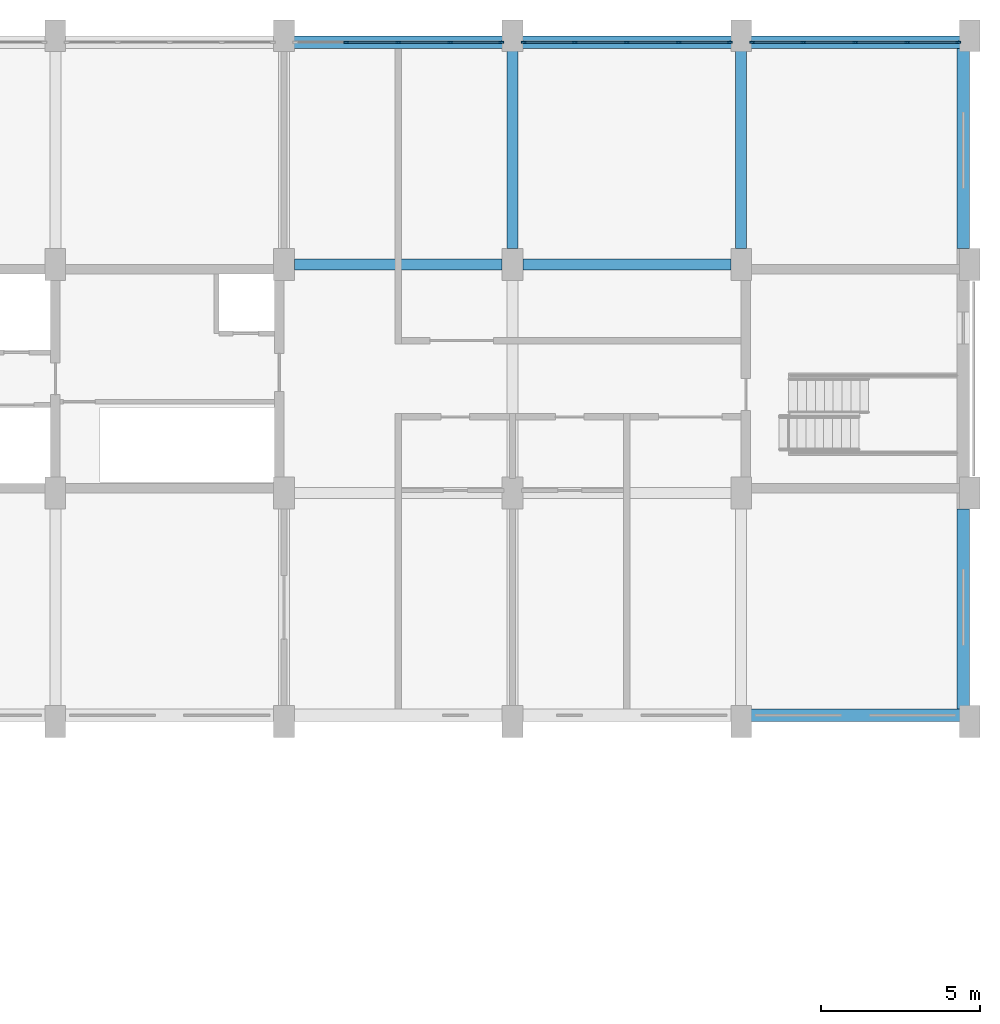
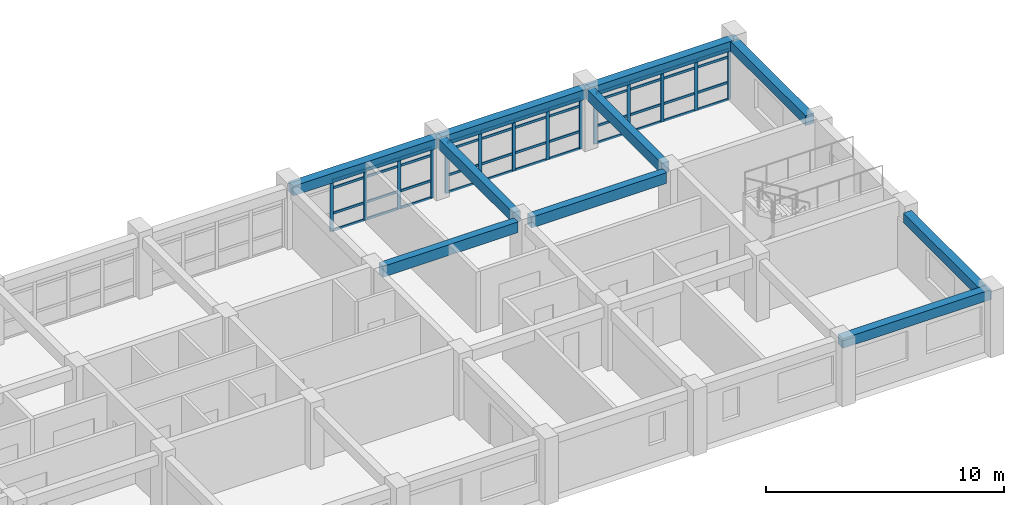
# One storey, part 8 of 19: 58 members, 10 beams, 3 elements without a shape of their own.
"""IFC4 building model written with IfcOpenShell, lengths in metres."""

from ifc_helpers import new_model, si_unit, direction, frame, origin, origin_2d, place, context, subcontext, project, spatial, rectangle, extrude, material, material_profile, profile_set, type_object, element, aggregate, save


model = new_model("IFC4")

# Units and contexts
model_context = context("Model", 3, precision=1e-05, world=origin(), true_north=direction((0.0, 1.0)))
body_context = subcontext(model_context, "Body", "Model", "MODEL_VIEW")
ifc_project = project(units=[si_unit("LENGTHUNIT", "METRE"), si_unit("AREAUNIT", "SQUARE_METRE"), si_unit("VOLUMEUNIT", "CUBIC_METRE"), si_unit("PLANEANGLEUNIT", "RADIAN"), si_unit("MASSUNIT", "GRAM", prefix="KILO")], contexts=[model_context])

# Site, building, storey
site_placement = place(None, origin())
site = spatial("IfcSite", under=ifc_project, at=site_placement, CompositionType="ELEMENT")
building_placement = place(site_placement, origin())
building = spatial("IfcBuilding", under=site, at=building_placement, Name="Vermilion Court Aquatics Centre", CompositionType="ELEMENT")
storey_placement = place(building_placement, frame((0.0, 0.0, 19.89990234375)))
storey = spatial("IfcBuildingStorey", under=building, at=storey_placement, Name="L04", CompositionType="ELEMENT", Elevation=19.89990234375)

# Curtain wall, members
ifc_material_1 = material(Name="Aluminium 6063-T5", Category="aluminium")
curtain_wall_type = type_object("IfcCurtainWallType", Name="North block glazed bay curtain wall 1800 module", PredefinedType="NOTDEFINED", material=ifc_material_1)
curtain_wall_1_placement = place(storey_placement, origin())
curtain_wall_1 = element("IfcCurtainWall", 1, at=curtain_wall_1_placement, inside=storey, type_object=curtain_wall_type, Name="North glazed bay 5 L04", PredefinedType="NOTDEFINED")
ifc_material_2 = material(Name="Aluminium 6063-T5", Category="aluminium")
ifc_material_profile_1 = material_profile(ifc_material_2, rectangle(XDim=0.06005859375, YDim=0.159912109375, at=origin_2d()), Name="AL 60x160")
ifc_profile_set_1 = profile_set([ifc_material_profile_1], Name="Aluminium 6063-T5")
member_type_1 = type_object("IfcMemberType", Name="North block curtain wall mullion 60x160", PredefinedType="MULLION", material=ifc_profile_set_1)
member_1_placement = place(storey_placement, frame((174.762451171875, 115.0, 0.0), z_axis=(0.0, 0.0, 1.0), x_axis=(0.0, 1.0, 0.0)))
member_1 = element("IfcMember", 2, at=member_1_placement, type_object=member_type_1, Name="UCW1 mullion 2", PredefinedType="MULLION", context=body_context, shape_type="SweptSolid", body=[
    extrude(rectangle(XDim=0.06005859375, YDim=0.159912109375, at=origin_2d()), origin(), (0.0, 0.0, 1.0), 2.60009765625),
])
member_2_placement = place(storey_placement, frame((176.39990234375, 115.0, 0.0), z_axis=(0.0, 0.0, 1.0), x_axis=(0.0, 1.0, 0.0)))
member_2 = element("IfcMember", 3, at=member_2_placement, type_object=member_type_1, Name="UCW1 mullion 3", PredefinedType="MULLION", context=body_context, shape_type="SweptSolid", body=[
    extrude(rectangle(XDim=0.06005859375, YDim=0.159912109375, at=origin_2d()), origin(), (0.0, 0.0, 1.0), 2.60009765625),
])
member_3_placement = place(storey_placement, frame((178.03759765625, 115.0, 0.0), z_axis=(0.0, 0.0, 1.0), x_axis=(0.0, 1.0, 0.0)))
member_3 = element("IfcMember", 4, at=member_3_placement, type_object=member_type_1, Name="UCW1 mullion 4", PredefinedType="MULLION", context=body_context, shape_type="SweptSolid", body=[
    extrude(rectangle(XDim=0.06005859375, YDim=0.159912109375, at=origin_2d()), origin(), (0.0, 0.0, 1.0), 2.60009765625),
])
member_4_placement = place(storey_placement, frame((179.64501953125, 115.0, 0.0), z_axis=(0.0, 0.0, 1.0), x_axis=(0.0, 1.0, 0.0)))
member_4 = element("IfcMember", 5, at=member_4_placement, type_object=member_type_1, Name="UCW1 mullion 5", PredefinedType="MULLION", context=body_context, shape_type="SweptSolid", body=[
    extrude(rectangle(XDim=0.06005859375, YDim=0.159912109375, at=origin_2d()), origin(), (0.0, 0.0, 1.0), 2.60009765625),
])

curtain_wall_2_placement = place(storey_placement, origin())
curtain_wall_2 = element("IfcCurtainWall", 6, at=curtain_wall_2_placement, inside=storey, type_object=curtain_wall_type, Name="North glazed bay 6 L04", PredefinedType="NOTDEFINED")
member_5_placement = place(storey_placement, frame((180.35498046875, 115.0, 0.0), z_axis=(0.0, 0.0, 1.0), x_axis=(0.0, 1.0, 0.0)))
member_5 = element("IfcMember", 7, at=member_5_placement, type_object=member_type_1, Name="UCW1 mullion 1", PredefinedType="MULLION", context=body_context, shape_type="SweptSolid", body=[
    extrude(rectangle(XDim=0.06005859375, YDim=0.159912109375, at=origin_2d()), origin(), (0.0, 0.0, 1.0), 2.60009765625),
])
member_6_placement = place(storey_placement, frame((181.96240234375, 115.0, 0.0), z_axis=(0.0, 0.0, 1.0), x_axis=(0.0, 1.0, 0.0)))
member_6 = element("IfcMember", 8, at=member_6_placement, type_object=member_type_1, Name="UCW1 mullion 2", PredefinedType="MULLION", context=body_context, shape_type="SweptSolid", body=[
    extrude(rectangle(XDim=0.06005859375, YDim=0.159912109375, at=origin_2d()), origin(), (0.0, 0.0, 1.0), 2.60009765625),
])
member_7_placement = place(storey_placement, frame((183.60009765625, 115.0, 0.0), z_axis=(0.0, 0.0, 1.0), x_axis=(0.0, 1.0, 0.0)))
member_7 = element("IfcMember", 9, at=member_7_placement, type_object=member_type_1, Name="UCW1 mullion 3", PredefinedType="MULLION", context=body_context, shape_type="SweptSolid", body=[
    extrude(rectangle(XDim=0.06005859375, YDim=0.159912109375, at=origin_2d()), origin(), (0.0, 0.0, 1.0), 2.60009765625),
])
member_8_placement = place(storey_placement, frame((185.237548828125, 115.0, 0.0), z_axis=(0.0, 0.0, 1.0), x_axis=(0.0, 1.0, 0.0)))
member_8 = element("IfcMember", 10, at=member_8_placement, type_object=member_type_1, Name="UCW1 mullion 4", PredefinedType="MULLION", context=body_context, shape_type="SweptSolid", body=[
    extrude(rectangle(XDim=0.06005859375, YDim=0.159912109375, at=origin_2d()), origin(), (0.0, 0.0, 1.0), 2.60009765625),
])
member_9_placement = place(storey_placement, frame((186.844970703125, 115.0, 0.0), z_axis=(0.0, 0.0, 1.0), x_axis=(0.0, 1.0, 0.0)))
member_9 = element("IfcMember", 11, at=member_9_placement, type_object=member_type_1, Name="UCW1 mullion 5", PredefinedType="MULLION", context=body_context, shape_type="SweptSolid", body=[
    extrude(rectangle(XDim=0.06005859375, YDim=0.159912109375, at=origin_2d()), origin(), (0.0, 0.0, 1.0), 2.60009765625),
])

curtain_wall_3_placement = place(storey_placement, origin())
curtain_wall_3 = element("IfcCurtainWall", 12, at=curtain_wall_3_placement, inside=storey, type_object=curtain_wall_type, Name="North glazed bay 7 L04", PredefinedType="NOTDEFINED")
member_10_placement = place(storey_placement, frame((187.554931640625, 115.0, 0.0), z_axis=(0.0, 0.0, 1.0), x_axis=(0.0, 1.0, 0.0)))
member_10 = element("IfcMember", 13, at=member_10_placement, type_object=member_type_1, Name="UCW1 mullion 1", PredefinedType="MULLION", context=body_context, shape_type="SweptSolid", body=[
    extrude(rectangle(XDim=0.06005859375, YDim=0.159912109375, at=origin_2d()), origin(), (0.0, 0.0, 1.0), 2.60009765625),
])
member_11_placement = place(storey_placement, frame((189.16259765625, 115.0, 0.0), z_axis=(0.0, 0.0, 1.0), x_axis=(0.0, 1.0, 0.0)))
member_11 = element("IfcMember", 14, at=member_11_placement, type_object=member_type_1, Name="UCW1 mullion 2", PredefinedType="MULLION", context=body_context, shape_type="SweptSolid", body=[
    extrude(rectangle(XDim=0.06005859375, YDim=0.159912109375, at=origin_2d()), origin(), (0.0, 0.0, 1.0), 2.60009765625),
])
member_12_placement = place(storey_placement, frame((190.800048828125, 115.0, 0.0), z_axis=(0.0, 0.0, 1.0), x_axis=(0.0, 1.0, 0.0)))
member_12 = element("IfcMember", 15, at=member_12_placement, type_object=member_type_1, Name="UCW1 mullion 3", PredefinedType="MULLION", context=body_context, shape_type="SweptSolid", body=[
    extrude(rectangle(XDim=0.06005859375, YDim=0.159912109375, at=origin_2d()), origin(), (0.0, 0.0, 1.0), 2.60009765625),
])
member_13_placement = place(storey_placement, frame((192.4375, 115.0, 0.0), z_axis=(0.0, 0.0, 1.0), x_axis=(0.0, 1.0, 0.0)))
member_13 = element("IfcMember", 16, at=member_13_placement, type_object=member_type_1, Name="UCW1 mullion 4", PredefinedType="MULLION", context=body_context, shape_type="SweptSolid", body=[
    extrude(rectangle(XDim=0.06005859375, YDim=0.159912109375, at=origin_2d()), origin(), (0.0, 0.0, 1.0), 2.60009765625),
])
member_14_placement = place(storey_placement, frame((194.044921875, 115.0, 0.0), z_axis=(0.0, 0.0, 1.0), x_axis=(0.0, 1.0, 0.0)))
member_14 = element("IfcMember", 17, at=member_14_placement, type_object=member_type_1, Name="UCW1 mullion 5", PredefinedType="MULLION", context=body_context, shape_type="SweptSolid", body=[
    extrude(rectangle(XDim=0.06005859375, YDim=0.159912109375, at=origin_2d()), origin(), (0.0, 0.0, 1.0), 2.60009765625),
])

# Member
ifc_material_3 = material(Name="Aluminium 6063-T5", Category="aluminium")
ifc_material_profile_2 = material_profile(ifc_material_3, rectangle(XDim=0.06005859375, YDim=0.1201171875, at=origin_2d()), Name="AL 60x120")
ifc_profile_set_2 = profile_set([ifc_material_profile_2], Name="Aluminium 6063-T5")
member_type_2 = type_object("IfcMemberType", Name="North block curtain wall transom 60x120", PredefinedType="USERDEFINED", material=ifc_profile_set_2)
member_15_placement = place(storey_placement, frame((174.79248046875, 115.0, 0.030029296875), z_axis=(1.0, 0.0, 0.0), x_axis=(0.0, 1.0, 0.0)))
member_15 = element("IfcMember", 18, at=member_15_placement, type_object=member_type_2, Name="UCW1 transom 2.1", ObjectType="TRANSOM", PredefinedType="USERDEFINED", context=body_context, shape_type="SweptSolid", body=[
    extrude(rectangle(XDim=0.06005859375, YDim=0.1201171875, at=origin_2d()), origin(), (0.0, 0.0, 1.0), 1.57763671875),
])

member_16_placement = place(storey_placement, frame((174.79248046875, 115.0, 0.900146484375), z_axis=(1.0, 0.0, 0.0), x_axis=(0.0, 1.0, 0.0)))
member_16 = element("IfcMember", 19, at=member_16_placement, type_object=member_type_2, Name="UCW1 transom 2.2", ObjectType="TRANSOM", PredefinedType="USERDEFINED", context=body_context, shape_type="SweptSolid", body=[
    extrude(rectangle(XDim=0.06005859375, YDim=0.1201171875, at=origin_2d()), origin(), (0.0, 0.0, 1.0), 1.57763671875),
])

member_17_placement = place(storey_placement, frame((174.79248046875, 115.0, 2.2001953125), z_axis=(1.0, 0.0, 0.0), x_axis=(0.0, 1.0, 0.0)))
member_17 = element("IfcMember", 20, at=member_17_placement, type_object=member_type_2, Name="UCW1 transom 2.3", ObjectType="TRANSOM", PredefinedType="USERDEFINED", context=body_context, shape_type="SweptSolid", body=[
    extrude(rectangle(XDim=0.06005859375, YDim=0.1201171875, at=origin_2d()), origin(), (0.0, 0.0, 1.0), 1.57763671875),
])

member_18_placement = place(storey_placement, frame((174.79248046875, 115.0, 2.570068359375), z_axis=(1.0, 0.0, 0.0), x_axis=(0.0, 1.0, 0.0)))
member_18 = element("IfcMember", 21, at=member_18_placement, type_object=member_type_2, Name="UCW1 transom 2.4", ObjectType="TRANSOM", PredefinedType="USERDEFINED", context=body_context, shape_type="SweptSolid", body=[
    extrude(rectangle(XDim=0.06005859375, YDim=0.1201171875, at=origin_2d()), origin(), (0.0, 0.0, 1.0), 1.57763671875),
])

member_19_placement = place(storey_placement, frame((176.429931640625, 115.0, 0.030029296875), z_axis=(1.0, 0.0, 0.0), x_axis=(0.0, 1.0, 0.0)))
member_19 = element("IfcMember", 22, at=member_19_placement, type_object=member_type_2, Name="UCW1 transom 3.1", ObjectType="TRANSOM", PredefinedType="USERDEFINED", context=body_context, shape_type="SweptSolid", body=[
    extrude(rectangle(XDim=0.06005859375, YDim=0.1201171875, at=origin_2d()), origin(), (0.0, 0.0, 1.0), 1.57763671875),
])

member_20_placement = place(storey_placement, frame((176.429931640625, 115.0, 0.900146484375), z_axis=(1.0, 0.0, 0.0), x_axis=(0.0, 1.0, 0.0)))
member_20 = element("IfcMember", 23, at=member_20_placement, type_object=member_type_2, Name="UCW1 transom 3.2", ObjectType="TRANSOM", PredefinedType="USERDEFINED", context=body_context, shape_type="SweptSolid", body=[
    extrude(rectangle(XDim=0.06005859375, YDim=0.1201171875, at=origin_2d()), origin(), (0.0, 0.0, 1.0), 1.57763671875),
])

member_21_placement = place(storey_placement, frame((176.429931640625, 115.0, 2.2001953125), z_axis=(1.0, 0.0, 0.0), x_axis=(0.0, 1.0, 0.0)))
member_21 = element("IfcMember", 24, at=member_21_placement, type_object=member_type_2, Name="UCW1 transom 3.3", ObjectType="TRANSOM", PredefinedType="USERDEFINED", context=body_context, shape_type="SweptSolid", body=[
    extrude(rectangle(XDim=0.06005859375, YDim=0.1201171875, at=origin_2d()), origin(), (0.0, 0.0, 1.0), 1.57763671875),
])

member_22_placement = place(storey_placement, frame((176.429931640625, 115.0, 2.570068359375), z_axis=(1.0, 0.0, 0.0), x_axis=(0.0, 1.0, 0.0)))
member_22 = element("IfcMember", 25, at=member_22_placement, type_object=member_type_2, Name="UCW1 transom 3.4", ObjectType="TRANSOM", PredefinedType="USERDEFINED", context=body_context, shape_type="SweptSolid", body=[
    extrude(rectangle(XDim=0.06005859375, YDim=0.1201171875, at=origin_2d()), origin(), (0.0, 0.0, 1.0), 1.57763671875),
])

member_23_placement = place(storey_placement, frame((178.0673828125, 115.0, 0.030029296875), z_axis=(1.0, 0.0, 0.0), x_axis=(0.0, 1.0, 0.0)))
member_23 = element("IfcMember", 26, at=member_23_placement, type_object=member_type_2, Name="UCW1 transom 4.1", ObjectType="TRANSOM", PredefinedType="USERDEFINED", context=body_context, shape_type="SweptSolid", body=[
    extrude(rectangle(XDim=0.06005859375, YDim=0.1201171875, at=origin_2d()), origin(), (0.0, 0.0, 1.0), 1.547607421875),
])

member_24_placement = place(storey_placement, frame((178.0673828125, 115.0, 0.900146484375), z_axis=(1.0, 0.0, 0.0), x_axis=(0.0, 1.0, 0.0)))
member_24 = element("IfcMember", 27, at=member_24_placement, type_object=member_type_2, Name="UCW1 transom 4.2", ObjectType="TRANSOM", PredefinedType="USERDEFINED", context=body_context, shape_type="SweptSolid", body=[
    extrude(rectangle(XDim=0.06005859375, YDim=0.1201171875, at=origin_2d()), origin(), (0.0, 0.0, 1.0), 1.547607421875),
])

member_25_placement = place(storey_placement, frame((178.0673828125, 115.0, 2.2001953125), z_axis=(1.0, 0.0, 0.0), x_axis=(0.0, 1.0, 0.0)))
member_25 = element("IfcMember", 28, at=member_25_placement, type_object=member_type_2, Name="UCW1 transom 4.3", ObjectType="TRANSOM", PredefinedType="USERDEFINED", context=body_context, shape_type="SweptSolid", body=[
    extrude(rectangle(XDim=0.06005859375, YDim=0.1201171875, at=origin_2d()), origin(), (0.0, 0.0, 1.0), 1.547607421875),
])

member_26_placement = place(storey_placement, frame((178.0673828125, 115.0, 2.570068359375), z_axis=(1.0, 0.0, 0.0), x_axis=(0.0, 1.0, 0.0)))
member_26 = element("IfcMember", 29, at=member_26_placement, type_object=member_type_2, Name="UCW1 transom 4.4", ObjectType="TRANSOM", PredefinedType="USERDEFINED", context=body_context, shape_type="SweptSolid", body=[
    extrude(rectangle(XDim=0.06005859375, YDim=0.1201171875, at=origin_2d()), origin(), (0.0, 0.0, 1.0), 1.547607421875),
])

aggregate(curtain_wall_1, [member_1, member_2, member_3, member_4, member_15, member_16, member_17, member_18, member_19, member_20, member_21, member_22, member_23, member_24, member_25, member_26])

member_27_placement = place(storey_placement, frame((180.385009765625, 115.0, 0.030029296875), z_axis=(1.0, 0.0, 0.0), x_axis=(0.0, 1.0, 0.0)))
member_27 = element("IfcMember", 30, at=member_27_placement, type_object=member_type_2, Name="UCW1 transom 1.1", ObjectType="TRANSOM", PredefinedType="USERDEFINED", context=body_context, shape_type="SweptSolid", body=[
    extrude(rectangle(XDim=0.06005859375, YDim=0.1201171875, at=origin_2d()), origin(), (0.0, 0.0, 1.0), 1.547607421875),
])

member_28_placement = place(storey_placement, frame((180.385009765625, 115.0, 0.900146484375), z_axis=(1.0, 0.0, 0.0), x_axis=(0.0, 1.0, 0.0)))
member_28 = element("IfcMember", 31, at=member_28_placement, type_object=member_type_2, Name="UCW1 transom 1.2", ObjectType="TRANSOM", PredefinedType="USERDEFINED", context=body_context, shape_type="SweptSolid", body=[
    extrude(rectangle(XDim=0.06005859375, YDim=0.1201171875, at=origin_2d()), origin(), (0.0, 0.0, 1.0), 1.547607421875),
])

member_29_placement = place(storey_placement, frame((180.385009765625, 115.0, 2.2001953125), z_axis=(1.0, 0.0, 0.0), x_axis=(0.0, 1.0, 0.0)))
member_29 = element("IfcMember", 32, at=member_29_placement, type_object=member_type_2, Name="UCW1 transom 1.3", ObjectType="TRANSOM", PredefinedType="USERDEFINED", context=body_context, shape_type="SweptSolid", body=[
    extrude(rectangle(XDim=0.06005859375, YDim=0.1201171875, at=origin_2d()), origin(), (0.0, 0.0, 1.0), 1.547607421875),
])

member_30_placement = place(storey_placement, frame((180.385009765625, 115.0, 2.570068359375), z_axis=(1.0, 0.0, 0.0), x_axis=(0.0, 1.0, 0.0)))
member_30 = element("IfcMember", 33, at=member_30_placement, type_object=member_type_2, Name="UCW1 transom 1.4", ObjectType="TRANSOM", PredefinedType="USERDEFINED", context=body_context, shape_type="SweptSolid", body=[
    extrude(rectangle(XDim=0.06005859375, YDim=0.1201171875, at=origin_2d()), origin(), (0.0, 0.0, 1.0), 1.547607421875),
])

member_31_placement = place(storey_placement, frame((181.992431640625, 115.0, 0.030029296875), z_axis=(1.0, 0.0, 0.0), x_axis=(0.0, 1.0, 0.0)))
member_31 = element("IfcMember", 34, at=member_31_placement, type_object=member_type_2, Name="UCW1 transom 2.1", ObjectType="TRANSOM", PredefinedType="USERDEFINED", context=body_context, shape_type="SweptSolid", body=[
    extrude(rectangle(XDim=0.06005859375, YDim=0.1201171875, at=origin_2d()), origin(), (0.0, 0.0, 1.0), 1.57763671875),
])

member_32_placement = place(storey_placement, frame((181.992431640625, 115.0, 0.900146484375), z_axis=(1.0, 0.0, 0.0), x_axis=(0.0, 1.0, 0.0)))
member_32 = element("IfcMember", 35, at=member_32_placement, type_object=member_type_2, Name="UCW1 transom 2.2", ObjectType="TRANSOM", PredefinedType="USERDEFINED", context=body_context, shape_type="SweptSolid", body=[
    extrude(rectangle(XDim=0.06005859375, YDim=0.1201171875, at=origin_2d()), origin(), (0.0, 0.0, 1.0), 1.57763671875),
])

member_33_placement = place(storey_placement, frame((181.992431640625, 115.0, 2.2001953125), z_axis=(1.0, 0.0, 0.0), x_axis=(0.0, 1.0, 0.0)))
member_33 = element("IfcMember", 36, at=member_33_placement, type_object=member_type_2, Name="UCW1 transom 2.3", ObjectType="TRANSOM", PredefinedType="USERDEFINED", context=body_context, shape_type="SweptSolid", body=[
    extrude(rectangle(XDim=0.06005859375, YDim=0.1201171875, at=origin_2d()), origin(), (0.0, 0.0, 1.0), 1.57763671875),
])

member_34_placement = place(storey_placement, frame((181.992431640625, 115.0, 2.570068359375), z_axis=(1.0, 0.0, 0.0), x_axis=(0.0, 1.0, 0.0)))
member_34 = element("IfcMember", 37, at=member_34_placement, type_object=member_type_2, Name="UCW1 transom 2.4", ObjectType="TRANSOM", PredefinedType="USERDEFINED", context=body_context, shape_type="SweptSolid", body=[
    extrude(rectangle(XDim=0.06005859375, YDim=0.1201171875, at=origin_2d()), origin(), (0.0, 0.0, 1.0), 1.57763671875),
])

member_35_placement = place(storey_placement, frame((183.6298828125, 115.0, 0.030029296875), z_axis=(1.0, 0.0, 0.0), x_axis=(0.0, 1.0, 0.0)))
member_35 = element("IfcMember", 38, at=member_35_placement, type_object=member_type_2, Name="UCW1 transom 3.1", ObjectType="TRANSOM", PredefinedType="USERDEFINED", context=body_context, shape_type="SweptSolid", body=[
    extrude(rectangle(XDim=0.06005859375, YDim=0.1201171875, at=origin_2d()), origin(), (0.0, 0.0, 1.0), 1.57763671875),
])

member_36_placement = place(storey_placement, frame((183.6298828125, 115.0, 0.900146484375), z_axis=(1.0, 0.0, 0.0), x_axis=(0.0, 1.0, 0.0)))
member_36 = element("IfcMember", 39, at=member_36_placement, type_object=member_type_2, Name="UCW1 transom 3.2", ObjectType="TRANSOM", PredefinedType="USERDEFINED", context=body_context, shape_type="SweptSolid", body=[
    extrude(rectangle(XDim=0.06005859375, YDim=0.1201171875, at=origin_2d()), origin(), (0.0, 0.0, 1.0), 1.57763671875),
])

member_37_placement = place(storey_placement, frame((183.6298828125, 115.0, 2.2001953125), z_axis=(1.0, 0.0, 0.0), x_axis=(0.0, 1.0, 0.0)))
member_37 = element("IfcMember", 40, at=member_37_placement, type_object=member_type_2, Name="UCW1 transom 3.3", ObjectType="TRANSOM", PredefinedType="USERDEFINED", context=body_context, shape_type="SweptSolid", body=[
    extrude(rectangle(XDim=0.06005859375, YDim=0.1201171875, at=origin_2d()), origin(), (0.0, 0.0, 1.0), 1.57763671875),
])

member_38_placement = place(storey_placement, frame((183.6298828125, 115.0, 2.570068359375), z_axis=(1.0, 0.0, 0.0), x_axis=(0.0, 1.0, 0.0)))
member_38 = element("IfcMember", 41, at=member_38_placement, type_object=member_type_2, Name="UCW1 transom 3.4", ObjectType="TRANSOM", PredefinedType="USERDEFINED", context=body_context, shape_type="SweptSolid", body=[
    extrude(rectangle(XDim=0.06005859375, YDim=0.1201171875, at=origin_2d()), origin(), (0.0, 0.0, 1.0), 1.57763671875),
])

member_39_placement = place(storey_placement, frame((185.267578125, 115.0, 0.030029296875), z_axis=(1.0, 0.0, 0.0), x_axis=(0.0, 1.0, 0.0)))
member_39 = element("IfcMember", 42, at=member_39_placement, type_object=member_type_2, Name="UCW1 transom 4.1", ObjectType="TRANSOM", PredefinedType="USERDEFINED", context=body_context, shape_type="SweptSolid", body=[
    extrude(rectangle(XDim=0.06005859375, YDim=0.1201171875, at=origin_2d()), origin(), (0.0, 0.0, 1.0), 1.54736328125),
])

member_40_placement = place(storey_placement, frame((185.267578125, 115.0, 0.900146484375), z_axis=(1.0, 0.0, 0.0), x_axis=(0.0, 1.0, 0.0)))
member_40 = element("IfcMember", 43, at=member_40_placement, type_object=member_type_2, Name="UCW1 transom 4.2", ObjectType="TRANSOM", PredefinedType="USERDEFINED", context=body_context, shape_type="SweptSolid", body=[
    extrude(rectangle(XDim=0.06005859375, YDim=0.1201171875, at=origin_2d()), origin(), (0.0, 0.0, 1.0), 1.54736328125),
])

member_41_placement = place(storey_placement, frame((185.267578125, 115.0, 2.2001953125), z_axis=(1.0, 0.0, 0.0), x_axis=(0.0, 1.0, 0.0)))
member_41 = element("IfcMember", 44, at=member_41_placement, type_object=member_type_2, Name="UCW1 transom 4.3", ObjectType="TRANSOM", PredefinedType="USERDEFINED", context=body_context, shape_type="SweptSolid", body=[
    extrude(rectangle(XDim=0.06005859375, YDim=0.1201171875, at=origin_2d()), origin(), (0.0, 0.0, 1.0), 1.54736328125),
])

member_42_placement = place(storey_placement, frame((185.267578125, 115.0, 2.570068359375), z_axis=(1.0, 0.0, 0.0), x_axis=(0.0, 1.0, 0.0)))
member_42 = element("IfcMember", 45, at=member_42_placement, type_object=member_type_2, Name="UCW1 transom 4.4", ObjectType="TRANSOM", PredefinedType="USERDEFINED", context=body_context, shape_type="SweptSolid", body=[
    extrude(rectangle(XDim=0.06005859375, YDim=0.1201171875, at=origin_2d()), origin(), (0.0, 0.0, 1.0), 1.54736328125),
])

aggregate(curtain_wall_2, [member_5, member_6, member_7, member_8, member_9, member_27, member_28, member_29, member_30, member_31, member_32, member_33, member_34, member_35, member_36, member_37, member_38, member_39, member_40, member_41, member_42])

member_43_placement = place(storey_placement, frame((187.5849609375, 115.0, 0.030029296875), z_axis=(1.0, 0.0, 0.0), x_axis=(0.0, 1.0, 0.0)))
member_43 = element("IfcMember", 46, at=member_43_placement, type_object=member_type_2, Name="UCW1 transom 1.1", ObjectType="TRANSOM", PredefinedType="USERDEFINED", context=body_context, shape_type="SweptSolid", body=[
    extrude(rectangle(XDim=0.06005859375, YDim=0.1201171875, at=origin_2d()), origin(), (0.0, 0.0, 1.0), 1.547607421875),
])

member_44_placement = place(storey_placement, frame((187.5849609375, 115.0, 0.900146484375), z_axis=(1.0, 0.0, 0.0), x_axis=(0.0, 1.0, 0.0)))
member_44 = element("IfcMember", 47, at=member_44_placement, type_object=member_type_2, Name="UCW1 transom 1.2", ObjectType="TRANSOM", PredefinedType="USERDEFINED", context=body_context, shape_type="SweptSolid", body=[
    extrude(rectangle(XDim=0.06005859375, YDim=0.1201171875, at=origin_2d()), origin(), (0.0, 0.0, 1.0), 1.547607421875),
])

member_45_placement = place(storey_placement, frame((187.5849609375, 115.0, 2.2001953125), z_axis=(1.0, 0.0, 0.0), x_axis=(0.0, 1.0, 0.0)))
member_45 = element("IfcMember", 48, at=member_45_placement, type_object=member_type_2, Name="UCW1 transom 1.3", ObjectType="TRANSOM", PredefinedType="USERDEFINED", context=body_context, shape_type="SweptSolid", body=[
    extrude(rectangle(XDim=0.06005859375, YDim=0.1201171875, at=origin_2d()), origin(), (0.0, 0.0, 1.0), 1.547607421875),
])

member_46_placement = place(storey_placement, frame((187.5849609375, 115.0, 2.570068359375), z_axis=(1.0, 0.0, 0.0), x_axis=(0.0, 1.0, 0.0)))
member_46 = element("IfcMember", 49, at=member_46_placement, type_object=member_type_2, Name="UCW1 transom 1.4", ObjectType="TRANSOM", PredefinedType="USERDEFINED", context=body_context, shape_type="SweptSolid", body=[
    extrude(rectangle(XDim=0.06005859375, YDim=0.1201171875, at=origin_2d()), origin(), (0.0, 0.0, 1.0), 1.547607421875),
])

member_47_placement = place(storey_placement, frame((189.1923828125, 115.0, 0.030029296875), z_axis=(1.0, 0.0, 0.0), x_axis=(0.0, 1.0, 0.0)))
member_47 = element("IfcMember", 50, at=member_47_placement, type_object=member_type_2, Name="UCW1 transom 2.1", ObjectType="TRANSOM", PredefinedType="USERDEFINED", context=body_context, shape_type="SweptSolid", body=[
    extrude(rectangle(XDim=0.06005859375, YDim=0.1201171875, at=origin_2d()), origin(), (0.0, 0.0, 1.0), 1.57763671875),
])

member_48_placement = place(storey_placement, frame((189.1923828125, 115.0, 0.900146484375), z_axis=(1.0, 0.0, 0.0), x_axis=(0.0, 1.0, 0.0)))
member_48 = element("IfcMember", 51, at=member_48_placement, type_object=member_type_2, Name="UCW1 transom 2.2", ObjectType="TRANSOM", PredefinedType="USERDEFINED", context=body_context, shape_type="SweptSolid", body=[
    extrude(rectangle(XDim=0.06005859375, YDim=0.1201171875, at=origin_2d()), origin(), (0.0, 0.0, 1.0), 1.57763671875),
])

member_49_placement = place(storey_placement, frame((189.1923828125, 115.0, 2.2001953125), z_axis=(1.0, 0.0, 0.0), x_axis=(0.0, 1.0, 0.0)))
member_49 = element("IfcMember", 52, at=member_49_placement, type_object=member_type_2, Name="UCW1 transom 2.3", ObjectType="TRANSOM", PredefinedType="USERDEFINED", context=body_context, shape_type="SweptSolid", body=[
    extrude(rectangle(XDim=0.06005859375, YDim=0.1201171875, at=origin_2d()), origin(), (0.0, 0.0, 1.0), 1.57763671875),
])

member_50_placement = place(storey_placement, frame((189.1923828125, 115.0, 2.570068359375), z_axis=(1.0, 0.0, 0.0), x_axis=(0.0, 1.0, 0.0)))
member_50 = element("IfcMember", 53, at=member_50_placement, type_object=member_type_2, Name="UCW1 transom 2.4", ObjectType="TRANSOM", PredefinedType="USERDEFINED", context=body_context, shape_type="SweptSolid", body=[
    extrude(rectangle(XDim=0.06005859375, YDim=0.1201171875, at=origin_2d()), origin(), (0.0, 0.0, 1.0), 1.57763671875),
])

member_51_placement = place(storey_placement, frame((190.830078125, 115.0, 0.030029296875), z_axis=(1.0, 0.0, 0.0), x_axis=(0.0, 1.0, 0.0)))
member_51 = element("IfcMember", 54, at=member_51_placement, type_object=member_type_2, Name="UCW1 transom 3.1", ObjectType="TRANSOM", PredefinedType="USERDEFINED", context=body_context, shape_type="SweptSolid", body=[
    extrude(rectangle(XDim=0.06005859375, YDim=0.1201171875, at=origin_2d()), origin(), (0.0, 0.0, 1.0), 1.577392578125),
])

member_52_placement = place(storey_placement, frame((190.830078125, 115.0, 0.900146484375), z_axis=(1.0, 0.0, 0.0), x_axis=(0.0, 1.0, 0.0)))
member_52 = element("IfcMember", 55, at=member_52_placement, type_object=member_type_2, Name="UCW1 transom 3.2", ObjectType="TRANSOM", PredefinedType="USERDEFINED", context=body_context, shape_type="SweptSolid", body=[
    extrude(rectangle(XDim=0.06005859375, YDim=0.1201171875, at=origin_2d()), origin(), (0.0, 0.0, 1.0), 1.577392578125),
])

member_53_placement = place(storey_placement, frame((190.830078125, 115.0, 2.2001953125), z_axis=(1.0, 0.0, 0.0), x_axis=(0.0, 1.0, 0.0)))
member_53 = element("IfcMember", 56, at=member_53_placement, type_object=member_type_2, Name="UCW1 transom 3.3", ObjectType="TRANSOM", PredefinedType="USERDEFINED", context=body_context, shape_type="SweptSolid", body=[
    extrude(rectangle(XDim=0.06005859375, YDim=0.1201171875, at=origin_2d()), origin(), (0.0, 0.0, 1.0), 1.577392578125),
])

member_54_placement = place(storey_placement, frame((190.830078125, 115.0, 2.570068359375), z_axis=(1.0, 0.0, 0.0), x_axis=(0.0, 1.0, 0.0)))
member_54 = element("IfcMember", 57, at=member_54_placement, type_object=member_type_2, Name="UCW1 transom 3.4", ObjectType="TRANSOM", PredefinedType="USERDEFINED", context=body_context, shape_type="SweptSolid", body=[
    extrude(rectangle(XDim=0.06005859375, YDim=0.1201171875, at=origin_2d()), origin(), (0.0, 0.0, 1.0), 1.577392578125),
])

member_55_placement = place(storey_placement, frame((192.467529296875, 115.0, 0.030029296875), z_axis=(1.0, 0.0, 0.0), x_axis=(0.0, 1.0, 0.0)))
member_55 = element("IfcMember", 58, at=member_55_placement, type_object=member_type_2, Name="UCW1 transom 4.1", ObjectType="TRANSOM", PredefinedType="USERDEFINED", context=body_context, shape_type="SweptSolid", body=[
    extrude(rectangle(XDim=0.06005859375, YDim=0.1201171875, at=origin_2d()), origin(), (0.0, 0.0, 1.0), 1.54736328125),
])

member_56_placement = place(storey_placement, frame((192.467529296875, 115.0, 0.900146484375), z_axis=(1.0, 0.0, 0.0), x_axis=(0.0, 1.0, 0.0)))
member_56 = element("IfcMember", 59, at=member_56_placement, type_object=member_type_2, Name="UCW1 transom 4.2", ObjectType="TRANSOM", PredefinedType="USERDEFINED", context=body_context, shape_type="SweptSolid", body=[
    extrude(rectangle(XDim=0.06005859375, YDim=0.1201171875, at=origin_2d()), origin(), (0.0, 0.0, 1.0), 1.54736328125),
])

member_57_placement = place(storey_placement, frame((192.467529296875, 115.0, 2.2001953125), z_axis=(1.0, 0.0, 0.0), x_axis=(0.0, 1.0, 0.0)))
member_57 = element("IfcMember", 60, at=member_57_placement, type_object=member_type_2, Name="UCW1 transom 4.3", ObjectType="TRANSOM", PredefinedType="USERDEFINED", context=body_context, shape_type="SweptSolid", body=[
    extrude(rectangle(XDim=0.06005859375, YDim=0.1201171875, at=origin_2d()), origin(), (0.0, 0.0, 1.0), 1.54736328125),
])

member_58_placement = place(storey_placement, frame((192.467529296875, 115.0, 2.570068359375), z_axis=(1.0, 0.0, 0.0), x_axis=(0.0, 1.0, 0.0)))
member_58 = element("IfcMember", 61, at=member_58_placement, type_object=member_type_2, Name="UCW1 transom 4.4", ObjectType="TRANSOM", PredefinedType="USERDEFINED", context=body_context, shape_type="SweptSolid", body=[
    extrude(rectangle(XDim=0.06005859375, YDim=0.1201171875, at=origin_2d()), origin(), (0.0, 0.0, 1.0), 1.54736328125),
])

aggregate(curtain_wall_3, [member_10, member_11, member_12, member_13, member_14, member_43, member_44, member_45, member_46, member_47, member_48, member_49, member_50, member_51, member_52, member_53, member_54, member_55, member_56, member_57, member_58])

# Beams
ifc_material_4 = material(Name="Concrete 5000 psi", Category="concrete")
ifc_material_profile_3 = material_profile(ifc_material_4, rectangle(XDim=0.35009765625, YDim=0.550048828125, at=origin_2d()), Name="RC 350x550")
ifc_profile_set_3 = profile_set([ifc_material_profile_3], Name="Concrete 5000 psi")
beam_type_1 = type_object("IfcBeamType", Name="North block floor girder 350x550", PredefinedType="BEAM", material=ifc_profile_set_3)
for number, where, z_axis, x_axis, name in (
    (62, (173.125, 108.0, 2.8251953125), (1.0, 0.0, 0.0), (0.0, 1.0, 0.0), "Floor beam ROOF x108"),
    (63, (180.324951171875, 108.0, 2.8251953125), (1.0, 0.0, 0.0), (0.0, 1.0, 0.0), "Floor beam ROOF x108"),
):
    element("IfcBeam", number, at=place(storey_placement, frame(where, z_axis=z_axis, x_axis=x_axis)), inside=storey, type_object=beam_type_1, Name=name, PredefinedType="BEAM", context=body_context, shape_type="SweptSolid", body=[
        extrude(rectangle(XDim=0.35009765625, YDim=0.550048828125, at=origin_2d()), origin(), (0.0, 0.0, 1.0), 6.550048828125),
    ])
for number, where, z_axis, x_axis, name in (
    (64, (180.0, 108.5, 2.8251953125), (0.0, 1.0, 0.0), (-1.0, 0.0, 0.0), "Floor beam ROOF y180"),
    (65, (187.199951171875, 108.5, 2.8251953125), (0.0, 1.0, 0.0), (-1.0, 0.0, 0.0), "Floor beam ROOF y187.2"),
):
    element("IfcBeam", number, at=place(storey_placement, frame(where, z_axis=z_axis, x_axis=x_axis)), inside=storey, type_object=beam_type_1, Name=name, PredefinedType="BEAM", context=body_context, shape_type="SweptSolid", body=[
        extrude(rectangle(XDim=0.35009765625, YDim=0.550048828125, at=origin_2d()), origin(), (0.0, 0.0, 1.0), 6.300048828125),
    ])
ifc_material_5 = material(Name="Concrete 6000 psi", Category="concrete")
ifc_material_profile_4 = material_profile(ifc_material_5, rectangle(XDim=0.39990234375, YDim=0.5, at=origin_2d()), Name="RC 400x500")
ifc_profile_set_4 = profile_set([ifc_material_profile_4], Name="Concrete 6000 psi")
beam_type_2 = type_object("IfcBeamType", Name="North block spandrel beam 400x500", PredefinedType="BEAM", material=ifc_profile_set_4)
for number, where, z_axis, x_axis, name in (
    (66, (187.199951171875, 93.800048828125, 2.85009765625), (1.0, 0.0, 0.0), (0.0, 1.0, 0.0), "Spandrel beam ROOF x93.6"),
    (67, (172.800048828125, 115.0, 2.85009765625), (1.0, 0.0, 0.0), (0.0, 1.0, 0.0), "Spandrel beam ROOF x115.2"),
    (68, (180.0, 115.0, 2.85009765625), (1.0, 0.0, 0.0), (0.0, 1.0, 0.0), "Spandrel beam ROOF x115.2"),
    (69, (187.199951171875, 115.0, 2.85009765625), (1.0, 0.0, 0.0), (0.0, 1.0, 0.0), "Spandrel beam ROOF x115.2"),
):
    element("IfcBeam", number, at=place(storey_placement, frame(where, z_axis=z_axis, x_axis=x_axis)), inside=storey, type_object=beam_type_2, Name=name, PredefinedType="BEAM", context=body_context, shape_type="SweptSolid", body=[
        extrude(rectangle(XDim=0.39990234375, YDim=0.5, at=origin_2d()), origin(), (0.0, 0.0, 1.0), 7.199951171875),
    ])
for number, where, z_axis, x_axis, name in (
    (70, (194.199951171875, 94.0, 2.85009765625), (0.0, 1.0, 0.0), (-1.0, 0.0, 0.0), "Spandrel beam ROOF y194.2"),
    (71, (194.199951171875, 108.5, 2.85009765625), (0.0, 1.0, 0.0), (-1.0, 0.0, 0.0), "Spandrel beam ROOF y194.2"),
):
    element("IfcBeam", number, at=place(storey_placement, frame(where, z_axis=z_axis, x_axis=x_axis)), inside=storey, type_object=beam_type_2, Name=name, PredefinedType="BEAM", context=body_context, shape_type="SweptSolid", body=[
        extrude(rectangle(XDim=0.39990234375, YDim=0.5, at=origin_2d()), origin(), (0.0, 0.0, 1.0), 6.300048828125),
    ])

save(model, "model.ifc")
